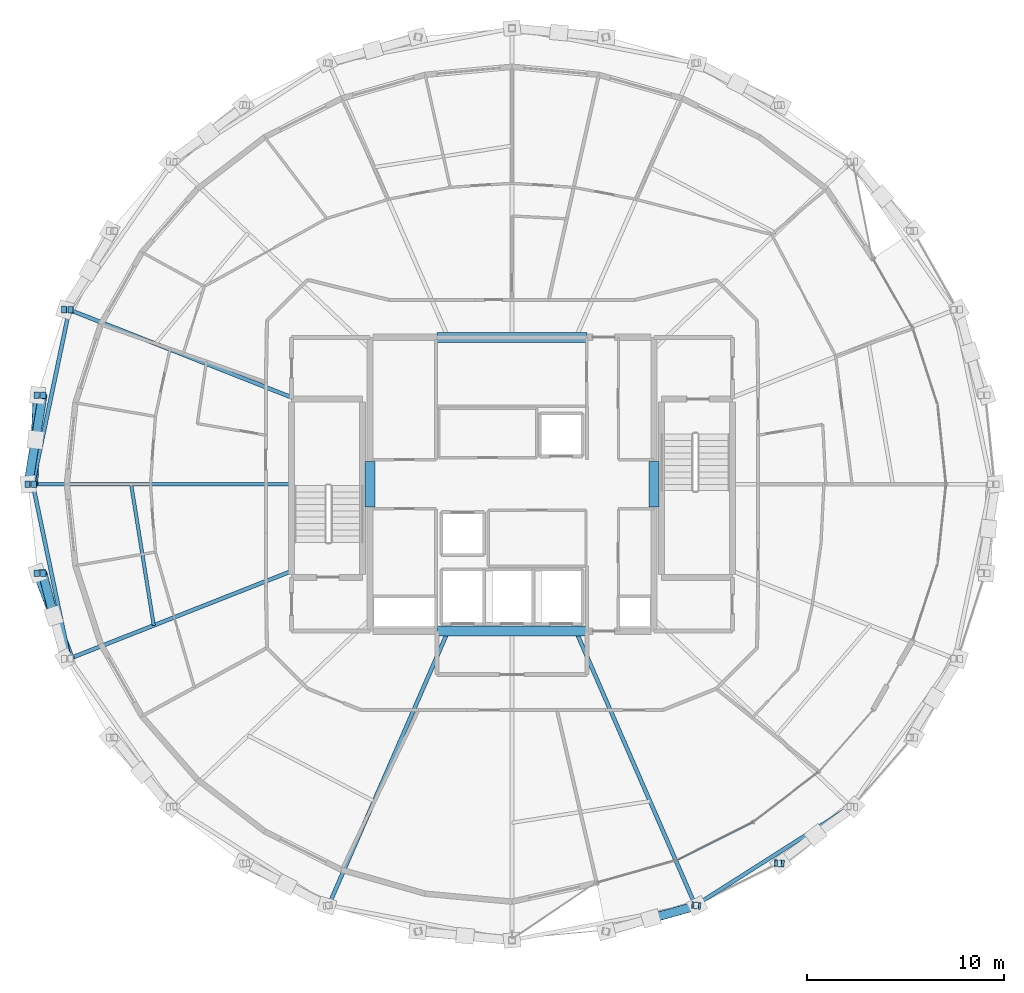
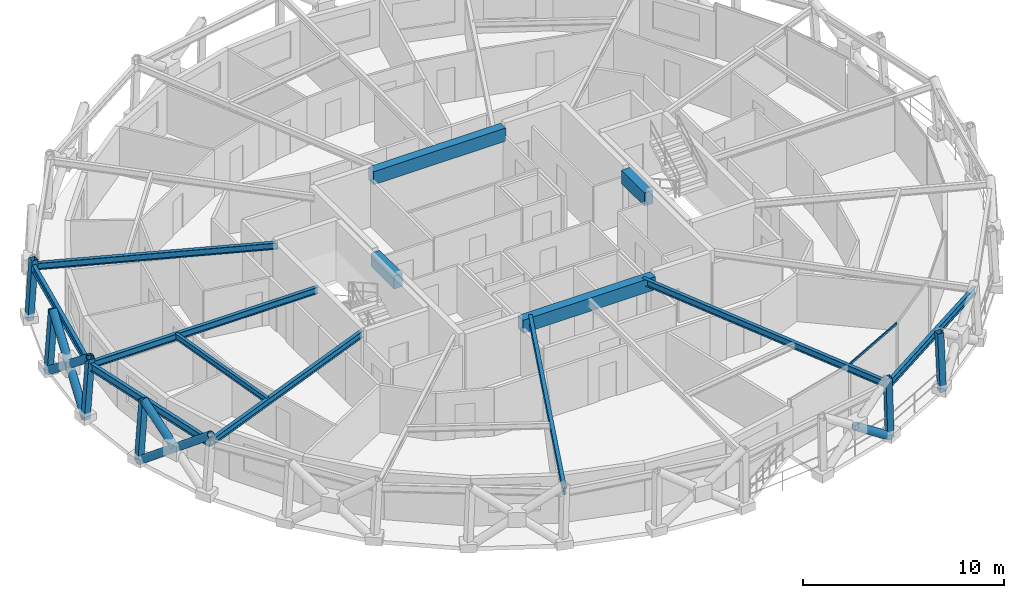
# One storey, part 3 of 17: 13 beams, 13 members, 1 element without a shape of its own.
"""IFC4 building model written with IfcOpenShell, lengths in metres."""

from ifc_helpers import new_model, si_unit, direction, frame, origin, origin_2d, place, context, subcontext, project, spatial, rectangle, hollow_rectangle, hollow_circle, i_section, extrude, material, layer, layer_set, material_profile, profile_set, type_object, element, aggregate, save


model = new_model("IFC4")

# Units and contexts
model_context = context("Model", 3, precision=1e-05, world=origin(), true_north=direction((0.0, 1.0)))
body_context = subcontext(model_context, "Body", "Model", "MODEL_VIEW")
ifc_project = project(units=[si_unit("LENGTHUNIT", "METRE"), si_unit("AREAUNIT", "SQUARE_METRE"), si_unit("VOLUMEUNIT", "CUBIC_METRE"), si_unit("PLANEANGLEUNIT", "RADIAN"), si_unit("MASSUNIT", "GRAM", prefix="KILO")], contexts=[model_context])

# Site, building, storey
site_placement = place(None, origin())
site = spatial("IfcSite", under=ifc_project, at=site_placement, CompositionType="ELEMENT")
building_placement = place(site_placement, origin())
building = spatial("IfcBuilding", under=site, at=building_placement, Name="Veldorina Hangang Commons", CompositionType="ELEMENT")
storey_placement = place(building_placement, frame((0.0, 0.0, 229.199951171875)))
storey = spatial("IfcBuildingStorey", under=building, at=storey_placement, Name="L59", CompositionType="ELEMENT", Elevation=229.199951171875)

# Beams
ifc_material_1 = material(Name="Concrete C50/60", Category="concrete")
ifc_material_profile_1 = material_profile(ifc_material_1, rectangle(XDim=0.5, YDim=0.800048828125, at=origin_2d()), Name="RC-CB-500x800")
ifc_profile_set_1 = profile_set([ifc_material_profile_1], Name="Concrete C50/60")
beam_type_1 = type_object("IfcBeamType", Name="BM-CB800", PredefinedType="LINTEL", material=ifc_profile_set_1)
for number, where, z_axis, x_axis, name in (
    (1, (24.800048828125, 22.85009765625, 2.9599609375), (0.0, 1.0, 0.0), (-1.0, 0.0, 0.0), "L59 W core coupling lintel beam"),
    (2, (39.199951171875, 22.85009765625, 2.9599609375), (0.0, 1.0, 0.0), (-1.0, 0.0, 0.0), "L59 E core coupling lintel beam"),
):
    element("IfcBeam", number, at=place(storey_placement, frame(where, z_axis=z_axis, x_axis=x_axis)), inside=storey, type_object=beam_type_1, Name=name, PredefinedType="LINTEL", context=body_context, shape_type="SweptSolid", body=[
        extrude(rectangle(XDim=0.5, YDim=0.800048828125, at=origin_2d()), origin(), (0.0, 0.0, 1.0), 2.2998046875),
    ])
for number, where, z_axis, x_axis, name in (
    (3, (28.199951171875, 16.550048828125, 2.9599609375), (1.0, 0.0, 0.0), (0.0, 1.0, 0.0), "L59 south core coupling beam"),
    (4, (28.199951171875, 31.449951171875, 2.9599609375), (1.0, 0.0, 0.0), (0.0, 1.0, 0.0), "L59 north core coupling beam"),
):
    element("IfcBeam", number, at=place(storey_placement, frame(where, z_axis=z_axis, x_axis=x_axis)), inside=storey, type_object=beam_type_1, Name=name, PredefinedType="LINTEL", context=body_context, shape_type="SweptSolid", body=[
        extrude(rectangle(XDim=0.5, YDim=0.800048828125, at=origin_2d()), origin(), (0.0, 0.0, 1.0), 7.60009765625),
    ])
ifc_material_2 = material(Name="Steel SM355-TMC", Category="steel")
ifc_material_profile_2 = material_profile(ifc_material_2, i_section(OverallWidth=0.199951171875, OverallDepth=0.39990234375, WebThickness=0.008056640625, FlangeThickness=0.012939453125, FilletRadius=0.012939453125, at=origin_2d()), Name="H-400x200x8x13")
ifc_profile_set_2 = profile_set([ifc_material_profile_2], Name="Steel SM355-TMC")
beam_type_2 = type_object("IfcBeamType", Name="BM-FG400", PredefinedType="BEAM", material=ifc_profile_set_2)
beam_1_placement = place(storey_placement, frame((21.0380859375, 28.320068359375, 3.16015625), z_axis=(-0.93036119045, 0.366644317159, 0.0), x_axis=(-0.366644317159, -0.93036119045, 0.0)))
element("IfcBeam", 5, at=beam_1_placement, inside=storey, type_object=beam_type_2, Name="L59 radial floor girder 08", PredefinedType="BEAM", context=body_context, shape_type="SweptSolid", body=[
    extrude(i_section(OverallWidth=0.199951171875, OverallDepth=0.39990234375, WebThickness=0.008056640625, FlangeThickness=0.012939453125, FilletRadius=0.012939453125, at=origin_2d()), origin(), (0.0, 0.0, 1.0), 12.3486328125),
])
beam_2_placement = place(storey_placement, frame((20.820068359375, 24.0, 3.16015625), z_axis=(-1.0, 0.0, 0.0), x_axis=(0.0, -1.0, 0.0)))
element("IfcBeam", 6, at=beam_2_placement, inside=storey, type_object=beam_type_2, Name="L59 radial floor girder 09", PredefinedType="BEAM", context=body_context, shape_type="SweptSolid", body=[
    extrude(i_section(OverallWidth=0.199951171875, OverallDepth=0.39990234375, WebThickness=0.008056640625, FlangeThickness=0.012939453125, FilletRadius=0.012939453125, at=origin_2d()), origin(), (0.0, 0.0, 1.0), 13.12060546875),
])
beam_3_placement = place(storey_placement, frame((20.820068359375, 19.593994140625, 3.16015625), z_axis=(-0.930361735487, -0.366642934121, 0.0), x_axis=(0.366642934121, -0.930361735487, 0.0)))
element("IfcBeam", 7, at=beam_3_placement, inside=storey, type_object=beam_type_2, Name="L59 radial floor girder 10", PredefinedType="BEAM", context=body_context, shape_type="SweptSolid", body=[
    extrude(i_section(OverallWidth=0.199951171875, OverallDepth=0.39990234375, WebThickness=0.008056640625, FlangeThickness=0.012939453125, FilletRadius=0.012939453125, at=origin_2d()), origin(), (0.0, 0.0, 1.0), 12.1142578125),
])
for number, where, z_axis, x_axis, name in (
    (8, (28.756591796875, 16.550048828125, 3.16015625), (-0.399189748652, -0.916868335461, 0.0), (0.916868335461, -0.399189748652, 0.0), "L59 radial floor girder 12"),
    (9, (35.243408203125, 16.550048828125, 3.16015625), (0.399189748652, -0.916868335461, 0.0), (0.916868335461, 0.399189748652, 0.0), "L59 radial floor girder 14"),
):
    element("IfcBeam", number, at=place(storey_placement, frame(where, z_axis=z_axis, x_axis=x_axis)), inside=storey, type_object=beam_type_2, Name=name, PredefinedType="BEAM", context=body_context, shape_type="SweptSolid", body=[
        extrude(i_section(OverallWidth=0.199951171875, OverallDepth=0.39990234375, WebThickness=0.008056640625, FlangeThickness=0.012939453125, FilletRadius=0.012939453125, at=origin_2d()), origin(), (0.0, 0.0, 1.0), 15.171142578125),
    ])
ifc_material_profile_3 = material_profile(ifc_material_2, i_section(OverallWidth=0.175048828125, OverallDepth=0.35009765625, WebThickness=0.007080078125, FlangeThickness=0.010986328125, FilletRadius=0.012939453125, at=origin_2d()), Name="H-350x175x7x11")
ifc_profile_set_3 = profile_set([ifc_material_profile_3], Name="Steel SM355-TMC")
beam_type_3 = type_object("IfcBeamType", Name="BM-JST350", PredefinedType="JOIST", material=ifc_profile_set_3)
beam_4_placement = place(storey_placement, frame((12.685302734375, 24.0, 3.18505859375), z_axis=(0.158144137808, -0.987416037786, 0.0), x_axis=(0.987416037786, 0.158144137808, 0.0)))
element("IfcBeam", 10, at=beam_4_placement, inside=storey, type_object=beam_type_3, Name="L59 secondary floor joist 09", PredefinedType="JOIST", context=body_context, shape_type="SweptSolid", body=[
    extrude(i_section(OverallWidth=0.175048828125, OverallDepth=0.35009765625, WebThickness=0.007080078125, FlangeThickness=0.010986328125, FilletRadius=0.012939453125, at=origin_2d()), origin(), (0.0, 0.0, 1.0), 7.251220703125),
])
ifc_material_profile_4 = material_profile(ifc_material_2, i_section(OverallWidth=0.199951171875, OverallDepth=0.449951171875, WebThickness=0.009033203125, FlangeThickness=0.013916015625, FilletRadius=0.01611328125, at=origin_2d()), Name="H-450x200x9x14")
ifc_profile_set_4 = profile_set([ifc_material_profile_4], Name="Steel SM355-TMC")
beam_type_4 = type_object("IfcBeamType", Name="BM-RB450", PredefinedType="BEAM", material=ifc_profile_set_4)
for number, where, z_axis, x_axis, name in (
    (11, (9.54931640625, 32.84765625, 3.135009765625), (-0.204653130845, -0.978834560094, 0.0), (0.978834560094, -0.204653130845, 0.0), "L59 perimeter hoop ring beam 14"),
    (12, (7.699462890625, 24.0, 3.135009765625), (0.204653130845, -0.978834560094, 0.0), (0.978834560094, 0.204653130845, 0.0), "L59 perimeter hoop ring beam 16"),
):
    element("IfcBeam", number, at=place(storey_placement, frame(where, z_axis=z_axis, x_axis=x_axis)), inside=storey, type_object=beam_type_4, Name=name, PredefinedType="BEAM", context=body_context, shape_type="SweptSolid", body=[
        extrude(i_section(OverallWidth=0.199951171875, OverallDepth=0.449951171875, WebThickness=0.009033203125, FlangeThickness=0.013916015625, FilletRadius=0.01611328125, at=origin_2d()), origin(), (0.0, 0.0, 1.0), 9.0390625),
    ])
beam_5_placement = place(storey_placement, frame((41.299560546875, 2.64013671875, 3.135009765625), z_axis=(0.843907831435, 0.536488184439, 0.0), x_axis=(-0.536488184439, 0.843907831435, 0.0)))
element("IfcBeam", 13, at=beam_5_placement, inside=storey, type_object=beam_type_4, Name="L59 perimeter hoop ring beam 26", PredefinedType="BEAM", context=body_context, shape_type="SweptSolid", body=[
    extrude(i_section(OverallWidth=0.199951171875, OverallDepth=0.449951171875, WebThickness=0.009033203125, FlangeThickness=0.013916015625, FilletRadius=0.01611328125, at=origin_2d()), origin(), (0.0, 0.0, 1.0), 9.341796875),
])

# Curtain wall, member
ifc_material_3 = material(Name="Glass Low-E Selective", Category="glass")
ifc_layer = layer(ifc_material_3, 0.179931640625)
ifc_layer_set = layer_set([ifc_layer], Name="Glass Low-E Selective")
curtain_wall_type = type_object("IfcCurtainWallType", Name="CW-SYS-Z3", PredefinedType="NOTDEFINED", material=ifc_layer_set)
curtain_wall_placement = place(storey_placement, origin())
curtain_wall = element("IfcCurtainWall", 14, at=curtain_wall_placement, inside=storey, type_object=curtain_wall_type, Name="L59 unitised curtain wall CW-L59-R1", PredefinedType="NOTDEFINED")
ifc_material_4 = material(Name="Aluminium Anodized AA6063-T6", Category="aluminium")
ifc_material_profile_5 = material_profile(ifc_material_4, hollow_rectangle(XDim=0.06005859375, YDim=0.139892578125, WallThickness=0.00341796875, at=origin_2d()), Name="ALU-RHS-140x60x3.5")
ifc_profile_set_5 = profile_set([ifc_material_profile_5], Name="Aluminium Anodized AA6063-T6")
member_type_1 = type_object("IfcMemberType", Name="CW-TRN-140", PredefinedType="USERDEFINED", material=ifc_profile_set_5)
member_1_placement = place(storey_placement, frame((40.42431640625, 4.95849609375, 3.280029296875), z_axis=(0.894255031307, 0.447557749327, 0.0), x_axis=(-0.447557749327, 0.894255031307, 0.0)))
member_1 = element("IfcMember", 15, at=member_1_placement, type_object=member_type_1, Name="CW-L59-R1 facet 2 transom 1", ObjectType="TRANSOM", PredefinedType="USERDEFINED", context=body_context, shape_type="SweptSolid", body=[
    extrude(hollow_rectangle(XDim=0.06005859375, YDim=0.139892578125, WallThickness=0.00341796875, at=origin_2d()), origin(), (0.0, 0.0, 1.0), 4.255859375),
])
aggregate(curtain_wall, [member_1])

# Members
ifc_material_profile_6 = material_profile(ifc_material_2, hollow_circle(Radius=0.22509765625, WallThickness=0.02197265625, at=origin_2d()), Name="CHS-450x22")
ifc_profile_set_6 = profile_set([ifc_material_profile_6], Name="Steel SM355-TMC")
member_type_2 = type_object("IfcMemberType", Name="DG-CHS450", PredefinedType="BRACE", material=ifc_profile_set_6)
member_2_placement = place(storey_placement, frame((7.9375, 28.512451171875, 0.0), z_axis=(-0.03520822976, -0.781216939563, 0.62326597364), x_axis=(0.998985962297, -0.045022740172, 0.0)))
element("IfcMember", 16, at=member_2_placement, inside=storey, type_object=member_type_2, Name="L59 continuous perimeter diagrid brace 15", PredefinedType="BRACE", context=body_context, shape_type="SweptSolid", body=[
    extrude(hollow_circle(Radius=0.22509765625, WallThickness=0.02197265625, at=origin_2d()), origin(), (0.0, 0.0, 1.0), 5.776123046875),
])
member_3_placement = place(storey_placement, frame((7.466064453125, 24.0, 0.0), z_axis=(0.12703329836, 0.77520518068, 0.61880487147), x_axis=(-0.986837726631, 0.161713639801, 0.0)))
element("IfcMember", 17, at=member_3_placement, inside=storey, type_object=member_type_2, Name="L59 split perimeter diagrid lower brace 16", PredefinedType="BRACE", context=body_context, shape_type="SweptSolid", body=[
    extrude(hollow_circle(Radius=0.22509765625, WallThickness=0.02197265625, at=origin_2d()), origin(), (0.0, 0.0, 1.0), 2.90966796875),
])
member_4_placement = place(storey_placement, frame((7.835693359375, 26.255615234375, 1.800537109375), z_axis=(0.125448618521, 0.77536314821, 0.618930232343), x_axis=(-0.987162937396, 0.15971642067, 0.0)))
element("IfcMember", 18, at=member_4_placement, inside=storey, type_object=member_type_2, Name="L59 split perimeter diagrid upper brace 16", PredefinedType="BRACE", context=body_context, shape_type="SweptSolid", body=[
    extrude(hollow_circle(Radius=0.22509765625, WallThickness=0.02197265625, at=origin_2d()), origin(), (0.0, 0.0, 1.0), 2.907470703125),
])
member_5_placement = place(storey_placement, frame((7.9375, 19.487548828125, 0.0), z_axis=(0.28006016293, -0.738480340511, 0.613362121278), x_axis=(0.935019805947, 0.354595491351, 0.0)))
element("IfcMember", 19, at=member_5_placement, inside=storey, type_object=member_type_2, Name="L59 continuous perimeter diagrid brace 17", PredefinedType="BRACE", context=body_context, shape_type="SweptSolid", body=[
    extrude(hollow_circle(Radius=0.22509765625, WallThickness=0.02197265625, at=origin_2d()), origin(), (0.0, 0.0, 1.0), 5.869384765625),
])
member_6_placement = place(storey_placement, frame((8.760009765625, 17.318603515625, 1.80126953125), z_axis=(-0.194654385419, 0.75534734028, 0.625747605485), x_axis=(-0.968362245784, -0.249548714564, 0.0)))
element("IfcMember", 20, at=member_6_placement, inside=storey, type_object=member_type_2, Name="L59 split perimeter diagrid upper brace 18", PredefinedType="BRACE", context=body_context, shape_type="SweptSolid", body=[
    extrude(hollow_circle(Radius=0.22509765625, WallThickness=0.02197265625, at=origin_2d()), origin(), (0.0, 0.0, 1.0), 2.874755859375),
])
member_7_placement = place(storey_placement, frame((41.388916015625, 2.63037109375, 0.0), z_axis=(-0.772881335621, -0.214295252494, 0.597270446119), x_axis=(0.267187767502, -0.963644486778, 0.0)))
element("IfcMember", 21, at=member_7_placement, inside=storey, type_object=member_type_2, Name="L59 split perimeter diagrid lower brace 26", PredefinedType="BRACE", context=body_context, shape_type="SweptSolid", body=[
    extrude(hollow_circle(Radius=0.22509765625, WallThickness=0.02197265625, at=origin_2d()), origin(), (0.0, 0.0, 1.0), 3.029296875),
])
ifc_material_profile_7 = material_profile(ifc_material_2, hollow_rectangle(XDim=0.35009765625, YDim=0.35009765625, WallThickness=0.01611328125, at=origin_2d()), Name="SHS-350x350x16")
ifc_profile_set_7 = profile_set([ifc_material_profile_7], Name="Steel SM355-TMC")
member_type_3 = type_object("IfcMemberType", Name="STR-SHS350", PredefinedType="STRUT", material=ifc_profile_set_7)
member_8_placement = place(storey_placement, frame((9.33349609375, 32.8515625, 0.0), z_axis=(0.068669686841, -0.001285442414, 0.997638622822), x_axis=(0.018715932995, 0.999824841586, 0.0)))
element("IfcMember", 22, at=member_8_placement, inside=storey, type_object=member_type_3, Name="L59 perimeter ring node post 14", PredefinedType="STRUT", context=body_context, shape_type="SweptSolid", body=[
    extrude(hollow_rectangle(XDim=0.35009765625, YDim=0.35009765625, WallThickness=0.01611328125, at=origin_2d()), origin(), (0.0, 0.0, 1.0), 3.608642578125),
])
member_9_placement = place(storey_placement, frame((7.9375, 28.512451171875, 0.0), z_axis=(0.072842712527, -0.000676348306, 0.99734321163), x_axis=(0.009284650851, 0.9999568967, 0.0)))
element("IfcMember", 23, at=member_9_placement, inside=storey, type_object=member_type_3, Name="L59 perimeter ring node post 15", PredefinedType="STRUT", context=body_context, shape_type="SweptSolid", body=[
    extrude(hollow_rectangle(XDim=0.35009765625, YDim=0.35009765625, WallThickness=0.01611328125, at=origin_2d()), origin(), (0.0, 0.0, 1.0), 3.609619140625),
])
member_10_placement = place(storey_placement, frame((7.466064453125, 24.0, 0.0), z_axis=(0.074255303945, 0.0, 0.997239264087), x_axis=(0.0, 1.0, 0.0)))
element("IfcMember", 24, at=member_10_placement, inside=storey, type_object=member_type_3, Name="L59 perimeter ring node post 16", PredefinedType="STRUT", context=body_context, shape_type="SweptSolid", body=[
    extrude(hollow_rectangle(XDim=0.35009765625, YDim=0.35009765625, WallThickness=0.01611328125, at=origin_2d()), origin(), (0.0, 0.0, 1.0), 3.610107421875),
])
member_11_placement = place(storey_placement, frame((7.9375, 19.487548828125, 0.0), z_axis=(0.072842712527, 0.000676348306, 0.99734321163), x_axis=(-0.009284650851, 0.9999568967, 0.0)))
element("IfcMember", 25, at=member_11_placement, inside=storey, type_object=member_type_3, Name="L59 perimeter ring node post 17", PredefinedType="STRUT", context=body_context, shape_type="SweptSolid", body=[
    extrude(hollow_rectangle(XDim=0.35009765625, YDim=0.35009765625, WallThickness=0.01611328125, at=origin_2d()), origin(), (0.0, 0.0, 1.0), 3.609619140625),
])
member_12_placement = place(storey_placement, frame((41.388916015625, 2.63037109375, 0.0), z_axis=(-0.028538347922, 0.003118204286, 0.99958783481), x_axis=(-0.108617215763, -0.994083648613, 0.0)))
element("IfcMember", 26, at=member_12_placement, inside=storey, type_object=member_type_3, Name="L59 perimeter ring node post 26", PredefinedType="STRUT", context=body_context, shape_type="SweptSolid", body=[
    extrude(hollow_rectangle(XDim=0.35009765625, YDim=0.35009765625, WallThickness=0.01611328125, at=origin_2d()), origin(), (0.0, 0.0, 1.0), 3.6015625),
])
member_13_placement = place(storey_placement, frame((45.63037109375, 4.767822265625, 0.0), z_axis=(-0.041331641703, 0.002778028377, 0.999141620569), x_axis=(-0.067061806148, -0.99774882318, 0.0)))
element("IfcMember", 27, at=member_13_placement, inside=storey, type_object=member_type_3, Name="L59 perimeter ring node post 27", PredefinedType="STRUT", context=body_context, shape_type="SweptSolid", body=[
    extrude(hollow_rectangle(XDim=0.35009765625, YDim=0.35009765625, WallThickness=0.01611328125, at=origin_2d()), origin(), (0.0, 0.0, 1.0), 3.603271484375),
])

save(model, "model.ifc")
